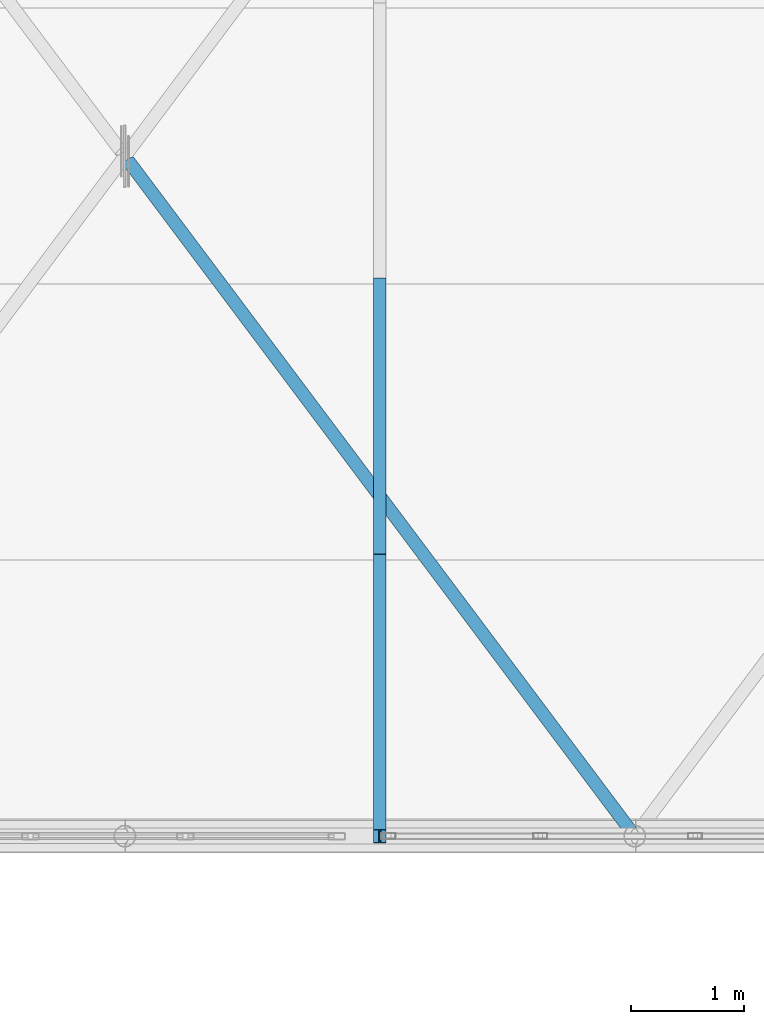
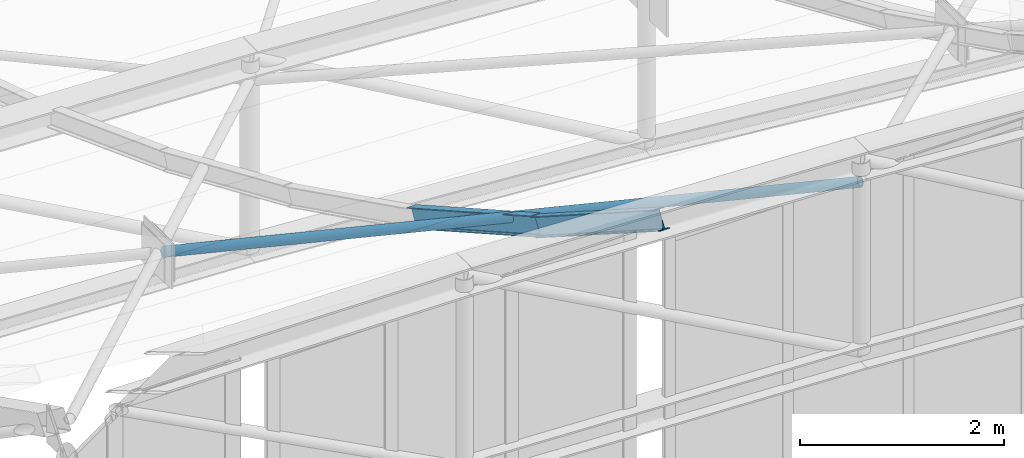
# One storey, part 61 of 262: 3 members.
"""IFC4 building model written with IfcOpenShell, lengths in metres."""

from ifc_helpers import new_model, si_unit, derived_unit, direction, frame, origin, origin_2d, place, context, subcontext, project, spatial, hollow_circle, i_section, extrude, material, material_profile, profile_set, type_object, element, save


model = new_model("IFC4")

# Units and contexts
model_context = context("Model", 3, precision=1e-05, world=origin(), true_north=direction((0.0, 1.0)))
body_context = subcontext(model_context, "Body", "Model", "MODEL_VIEW")
ifc_project = project(units=[si_unit("LENGTHUNIT", "METRE"), si_unit("AREAUNIT", "SQUARE_METRE"), si_unit("VOLUMEUNIT", "CUBIC_METRE"), si_unit("PLANEANGLEUNIT", "RADIAN"), si_unit("MASSUNIT", "GRAM", prefix="KILO"), derived_unit("THERMALTRANSMITTANCEUNIT", [(si_unit("POWERUNIT", "WATT"), 1), (si_unit("LENGTHUNIT", "METRE"), -2), (si_unit("THERMODYNAMICTEMPERATUREUNIT", "KELVIN"), -1)])], contexts=[model_context])

# Site, building, storey
site_placement = place(None, origin())
site = spatial("IfcSite", under=ifc_project, at=site_placement, CompositionType="ELEMENT")
building_placement = place(site_placement, origin())
building = spatial("IfcBuilding", under=site, at=building_placement, Name="Almenara Railside Exhibition Hall", CompositionType="ELEMENT")
storey_placement = place(building_placement, frame((0.0, 0.0, 21.699951171875)))
storey = spatial("IfcBuildingStorey", under=building, at=storey_placement, Name="RF", CompositionType="ELEMENT", Elevation=21.699951171875)

# Members
ifc_material = material(Name="Structural steel S355JR", Category="steel")
ifc_material_profile_1 = material_profile(ifc_material, i_section(OverallWidth=0.110107421875, OverallDepth=0.219970703125, WebThickness=0.005859375, FlangeThickness=0.00927734375, FilletRadius=0.011962890625, at=origin_2d()), Name="IPE 220")
ifc_profile_set_1 = profile_set([ifc_material_profile_1], Name="Structural steel S355JR")
member_type_1 = type_object("IfcMemberType", Name="Heavy Hall Roof Purlin IPE 220 S355JR", PredefinedType="PURLIN", material=ifc_profile_set_1)
member_1_placement = place(storey_placement, frame((45.75, 48.0, 10.916015625), z_axis=(0.0, 0.842265270347, -0.53906327492), x_axis=(-1.0, 0.0, 0.0)))
element("IfcMember", 1, at=member_1_placement, inside=storey, type_object=member_type_1, Name="MEM-PR-V1-PR-IPE220-05-00", PredefinedType="PURLIN", context=body_context, shape_type="SweptSolid", body=[
    extrude(i_section(OverallWidth=0.110107421875, OverallDepth=0.219970703125, WebThickness=0.005859375, FlangeThickness=0.00927734375, FilletRadius=0.011962890625, at=origin_2d()), origin(), (0.0, 0.0, 1.0), 2.89306640625),
])
member_2_placement = place(storey_placement, frame((45.75, 50.436767578125, 9.367431640625), z_axis=(0.0, 0.870483227181, -0.492198081261), x_axis=(-1.0, 0.0, 0.0)))
element("IfcMember", 2, at=member_2_placement, inside=storey, type_object=member_type_1, Name="MEM-PR-V1-PR-IPE220-05-01", PredefinedType="PURLIN", context=body_context, shape_type="SweptSolid", body=[
    extrude(i_section(OverallWidth=0.110107421875, OverallDepth=0.219970703125, WebThickness=0.005859375, FlangeThickness=0.00927734375, FilletRadius=0.011962890625, at=origin_2d()), origin(), (0.0, 0.0, 1.0), 2.799072265625),
])
ifc_material_profile_2 = material_profile(ifc_material, hollow_circle(Radius=0.05712890625, WallThickness=0.00439453125, at=origin_2d()), Name="CHS 114.3x4.5")
ifc_profile_set_2 = profile_set([ifc_material_profile_2], Name="Structural steel S355JR")
member_type_2 = type_object("IfcMemberType", Name="Roof Wind Plan X-Brace CHS 114.3x4.5 S355JR", PredefinedType="BRACE", material=ifc_profile_set_2)
member_3_placement = place(storey_placement, frame((48.0, 48.0, 10.57568359375), z_axis=(-0.559441823261, 0.74591223636, -0.361441256686), x_axis=(-0.799996063801, -0.600005248229, 0.0)))
element("IfcMember", 3, at=member_3_placement, inside=storey, type_object=member_type_2, Name="MEM-WB-V1-WB-CHS114-00-06-S1", PredefinedType="BRACE", context=body_context, shape_type="SweptSolid", body=[
    extrude(hollow_circle(Radius=0.05712890625, WallThickness=0.00439453125, at=origin_2d()), origin(), (0.0, 0.0, 1.0), 7.982666015625),
])

save(model, "model.ifc")
